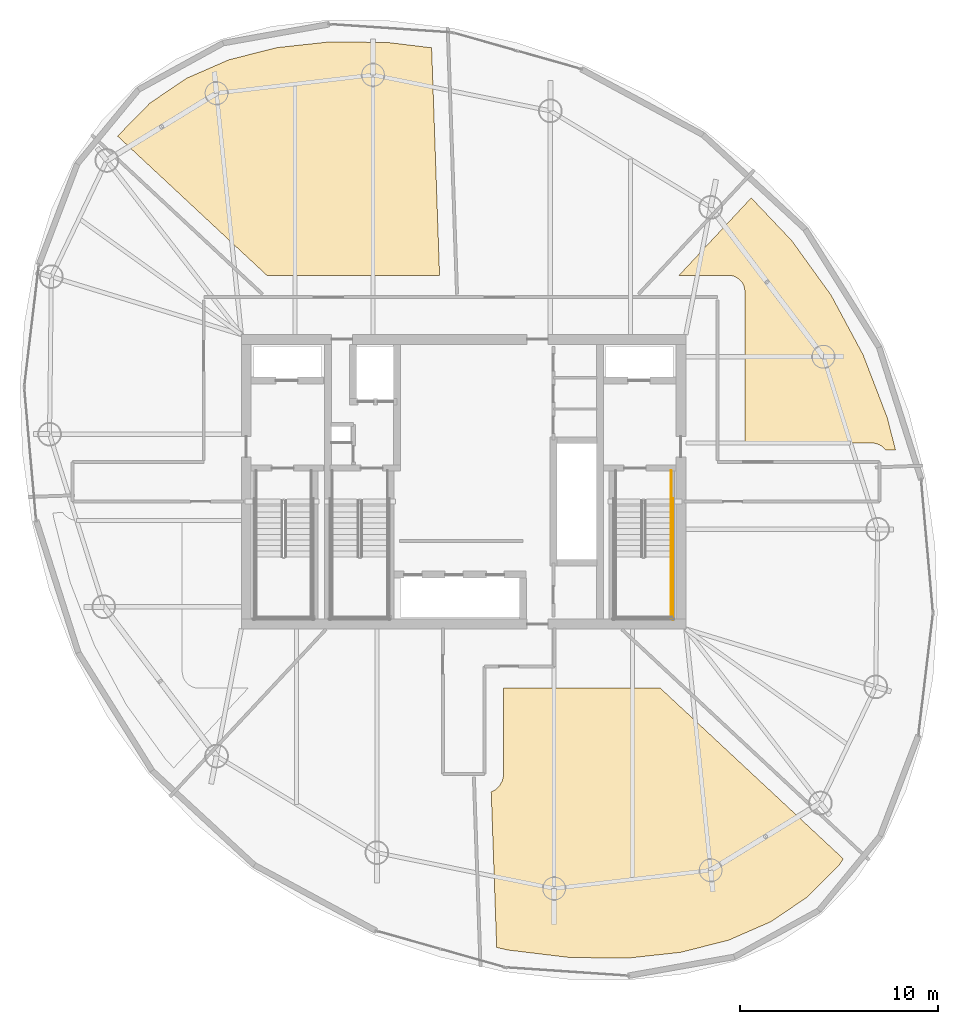
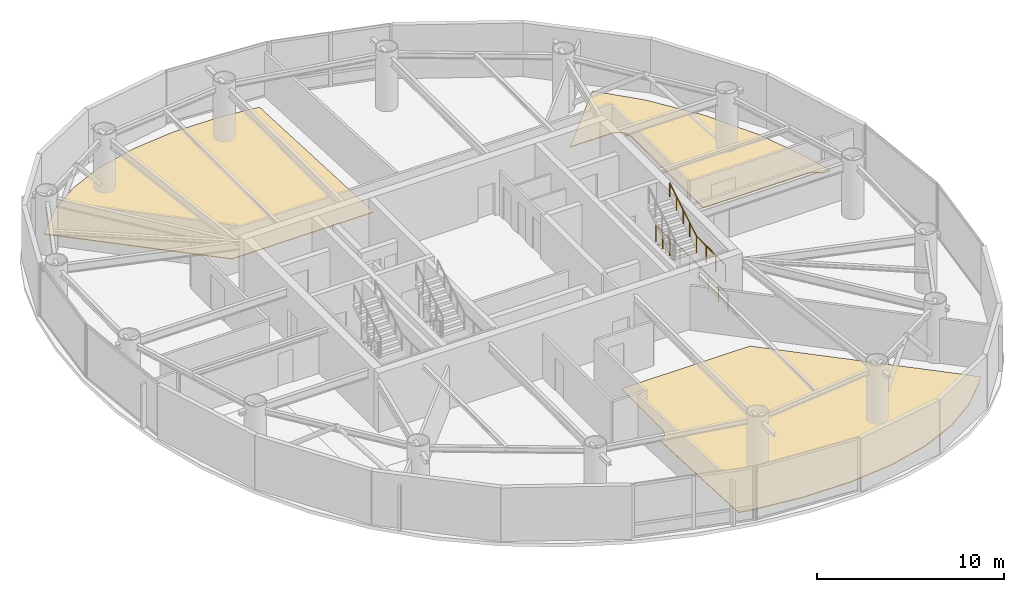
# One storey, part 18 of 18: 4 railings, 3 coverings.
"""IFC4 building model written with IfcOpenShell, lengths in metres."""

from ifc_helpers import new_model, si_unit, direction, frame, origin, origin_2d, place, context, subcontext, project, spatial, polyline, circle, outline, extrude, material, layer, layer_set, type_object, element, save


model = new_model("IFC4")

# Units and contexts
model_context = context("Model", 3, precision=1e-05, world=origin(), true_north=direction((0.0, 1.0)))
body_context = subcontext(model_context, "Body", "Model", "MODEL_VIEW")
ifc_project = project(units=[si_unit("LENGTHUNIT", "METRE"), si_unit("AREAUNIT", "SQUARE_METRE"), si_unit("VOLUMEUNIT", "CUBIC_METRE"), si_unit("PLANEANGLEUNIT", "RADIAN"), si_unit("MASSUNIT", "GRAM", prefix="KILO")], contexts=[model_context])

# Site, building, storey
site_placement = place(None, origin())
site = spatial("IfcSite", under=ifc_project, at=site_placement, CompositionType="ELEMENT")
building_placement = place(site_placement, origin())
building = spatial("IfcBuilding", under=site, at=building_placement, Name="Bramvorn Convention Spire", CompositionType="ELEMENT")
storey_placement = place(building_placement, frame((0.0, 0.0, 232.800048828125)))
storey = spatial("IfcBuildingStorey", under=building, at=storey_placement, Name="L59", CompositionType="ELEMENT", Elevation=232.800048828125)

# Coverings
ifc_material_1 = material(Name="Calcium-Sulphate Raised Access Office Floor", Category="steel")
ifc_layer = layer(ifc_material_1, 0.044921875)
ifc_layer_set = layer_set([ifc_layer], Name="Calcium-Sulphate Raised Access Office Floor - FLR-RAISED-45")
covering_type = type_object("IfcCoveringType", Name="FLR-RAISED-45", PredefinedType="FLOORING", material=ifc_layer_set)
covering_1_placement = place(storey_placement, origin())
element("IfcCovering", 1, at=covering_1_placement, inside=storey, type_object=covering_type, Name="L59 Quantitative Office Desk West 1 raised floor finish", PredefinedType="FLOORING", context=body_context, shape_type="SweptSolid", body=[
    extrude(outline(polyline([(48.906982421875, 36.449951171875), (51.56591796875, 36.43359375), (51.725341796875, 36.38525390625), (51.939208984375, 36.257080078125), (52.106689453125, 36.072265625), (52.185302734375, 35.92529296875), (52.25, 35.60009765625), (52.25, 27.969970703125), (58.664794921875, 27.968994140625), (58.87109375, 27.937255859375), (59.05517578125, 27.867431640625), (59.221435546875, 27.76220703125), (59.384521484375, 27.597412109375), (59.858154296875, 27.61376953125), (59.4443359375, 29.23779296875), (58.218505859375, 32.42822265625), (56.602783203125, 35.4384765625), (54.60791015625, 38.205078125), (52.5576171875, 40.364990234375), (48.906982421875, 36.449951171875)])), origin(), (0.0, 0.0, 1.0), 0.044921875),
])
covering_2_placement = place(storey_placement, origin())
element("IfcCovering", 2, at=covering_2_placement, inside=storey, type_object=covering_type, Name="L59 Trader Dining Cafe 1 3 raised floor finish", PredefinedType="FLOORING", context=body_context, shape_type="SweptSolid", body=[
    extrude(outline(polyline([(20.48681640625, 43.49365234375), (28.0400390625, 36.449951171875), (36.78466796875, 36.449951171875), (36.382568359375, 47.96337890625), (34.17822265625, 48.22998046875), (31.251708984375, 48.265869140625), (28.55029296875, 47.9716796875), (26.117431640625, 47.354736328125), (23.974365234375, 46.41845703125), (22.120361328125, 45.1611328125), (20.48681640625, 43.49365234375)])), origin(), (0.0, 0.0, 1.0), 0.044921875),
])
covering_3_placement = place(storey_placement, origin())
element("IfcCovering", 3, at=covering_3_placement, inside=storey, type_object=covering_type, Name="L59 Server & Tape Store 7 raised floor finish", PredefinedType="FLOORING", context=body_context, shape_type="SweptSolid", body=[
    extrude(outline(polyline([(39.673583984375, 2.4296875), (40.264892578125, 2.29541015625), (43.353271484375, 1.922119140625), (46.279541015625, 1.88623046875), (48.981201171875, 2.180419921875), (51.4140625, 2.79736328125), (53.556884765625, 3.733642578125), (55.4111328125, 4.990966796875), (56.99072265625, 6.579345703125), (57.2197265625, 6.9150390625), (47.9599609375, 15.550048828125), (40.02001953125, 15.550048828125), (40.01025390625, 11.0634765625), (39.961181640625, 10.86767578125), (39.825439453125, 10.617431640625), (39.632568359375, 10.424560546875), (39.39892578125, 10.295654296875), (39.673583984375, 2.4296875)])), origin(), (0.0, 0.0, 1.0), 0.044921875),
])

# Railings
ifc_material_2 = material(Name="Painted Steel Balustrade & Guardrail", Category="steel")
railing_type_1 = type_object("IfcRailingType", Name="RL-STAIR-GUARD-1100", PredefinedType="GUARDRAIL", material=ifc_material_2)
railing_1_placement = place(storey_placement, frame((48.5, 22.199951171875, 1.925048828125)))
element("IfcRailing", 4, at=railing_1_placement, inside=storey, type_object=railing_type_1, Name="L59 ST2 stair guard 4", PredefinedType="GUARDRAIL", context=body_context, shape_type="SweptSolid", body=[
    extrude(circle(Radius=0.02392578125, at=origin_2d()), frame((0.0, 0.0, 1.076171875), z_axis=(0.0, -1.0, 0.0), x_axis=(1.0, 0.0, 0.0)), (0.0, 0.0, 1.0), 3.099853515625),
    extrude(circle(Radius=0.02099609375, at=origin_2d()), origin(), (0.0, 0.0, 1.0), 1.052001953125),
    extrude(circle(Radius=0.02099609375, at=origin_2d()), frame((0.0, -1.033203125, 0.0)), (0.0, 0.0, 1.0), 1.052001953125),
    extrude(circle(Radius=0.02099609375, at=origin_2d()), frame((0.0, -2.066650390625, 0.0)), (0.0, 0.0, 1.0), 1.052001953125),
    extrude(circle(Radius=0.02099609375, at=origin_2d()), frame((0.0, -3.099853515625, 0.0)), (0.0, 0.0, 1.0), 1.052001953125),
])
railing_2_placement = place(storey_placement, frame((48.5, 26.550048828125, 0.0)))
element("IfcRailing", 5, at=railing_2_placement, inside=storey, type_object=railing_type_1, Name="L59 ST2 stair guard 9", PredefinedType="GUARDRAIL", context=body_context, shape_type="SweptSolid", body=[
    extrude(circle(Radius=0.02392578125, at=origin_2d()), frame((0.0, 0.0, 1.076171875), z_axis=(0.0, -1.0, 0.0), x_axis=(1.0, 0.0, 0.0)), (0.0, 0.0, 1.0), 1.5),
    extrude(circle(Radius=0.02099609375, at=origin_2d()), origin(), (0.0, 0.0, 1.0), 1.052001953125),
    extrude(circle(Radius=0.02099609375, at=origin_2d()), frame((0.0, -0.75, 0.0)), (0.0, 0.0, 1.0), 1.052001953125),
    extrude(circle(Radius=0.02099609375, at=origin_2d()), frame((0.0, -1.5, 0.0)), (0.0, 0.0, 1.0), 1.052001953125),
])
railing_3_placement = place(storey_placement, frame((48.60009765625, 25.14990234375, 0.0)))
element("IfcRailing", 6, at=railing_3_placement, inside=storey, type_object=railing_type_1, Name="L59 ST2 stair guard 11", PredefinedType="GUARDRAIL", context=body_context, shape_type="SweptSolid", body=[
    extrude(circle(Radius=0.02392578125, at=origin_2d()), frame((0.0, 0.0, 1.076171875), z_axis=(0.0, -1.0, 0.0), x_axis=(1.0, 0.0, 0.0)), (0.0, 0.0, 1.0), 6.14990234375),
    extrude(circle(Radius=0.02099609375, at=origin_2d()), origin(), (0.0, 0.0, 1.0), 1.052001953125),
    extrude(circle(Radius=0.02099609375, at=origin_2d()), frame((0.0, -1.02490234375, 0.0)), (0.0, 0.0, 1.0), 1.052001953125),
    extrude(circle(Radius=0.02099609375, at=origin_2d()), frame((0.0, -2.050048828125, 0.0)), (0.0, 0.0, 1.0), 1.052001953125),
    extrude(circle(Radius=0.02099609375, at=origin_2d()), frame((0.0, -3.074951171875, 0.0)), (0.0, 0.0, 1.0), 1.052001953125),
    extrude(circle(Radius=0.02099609375, at=origin_2d()), frame((0.0, -4.099853515625, 0.0)), (0.0, 0.0, 1.0), 1.052001953125),
    extrude(circle(Radius=0.02099609375, at=origin_2d()), frame((0.0, -5.125, 0.0)), (0.0, 0.0, 1.0), 1.052001953125),
    extrude(circle(Radius=0.02099609375, at=origin_2d()), frame((0.0, -6.14990234375, 0.0)), (0.0, 0.0, 1.0), 1.052001953125),
])
ifc_material_3 = material(Name="Brushed Bronze Tubular Handrail", Category="aluminium")
railing_type_2 = type_object("IfcRailingType", Name="RL-STAIR-HR-920", PredefinedType="HANDRAIL", material=ifc_material_3)
railing_4_placement = place(storey_placement, frame((48.5, 22.199951171875, 2.099853515625)))
element("IfcRailing", 7, at=railing_4_placement, inside=storey, type_object=railing_type_2, Name="L59 ST2 stair handrail 2", PredefinedType="HANDRAIL", context=body_context, shape_type="SweptSolid", body=[
    extrude(circle(Radius=0.02392578125, at=origin_2d()), frame((0.0, 0.0, 0.89599609375), z_axis=(0.0, 0.852179220489, 0.52325001306), x_axis=(-1.0, 0.0, 0.0)), (0.0, 0.0, 1.0), 3.344482421875),
    extrude(circle(Radius=0.02099609375, at=origin_2d()), origin(), (0.0, 0.0, 1.0), 0.871826171875),
    extrude(circle(Radius=0.02099609375, at=origin_2d()), frame((0.0, 0.71240234375, 0.4375)), (0.0, 0.0, 1.0), 0.871826171875),
    extrude(circle(Radius=0.02099609375, at=origin_2d()), frame((0.0, 1.425048828125, 0.875)), (0.0, 0.0, 1.0), 0.871826171875),
    extrude(circle(Radius=0.02099609375, at=origin_2d()), frame((0.0, 2.1376953125, 1.3125)), (0.0, 0.0, 1.0), 0.871826171875),
    extrude(circle(Radius=0.02099609375, at=origin_2d()), frame((0.0, 2.85009765625, 1.75)), (0.0, 0.0, 1.0), 0.871826171875),
])

save(model, "model.ifc")
